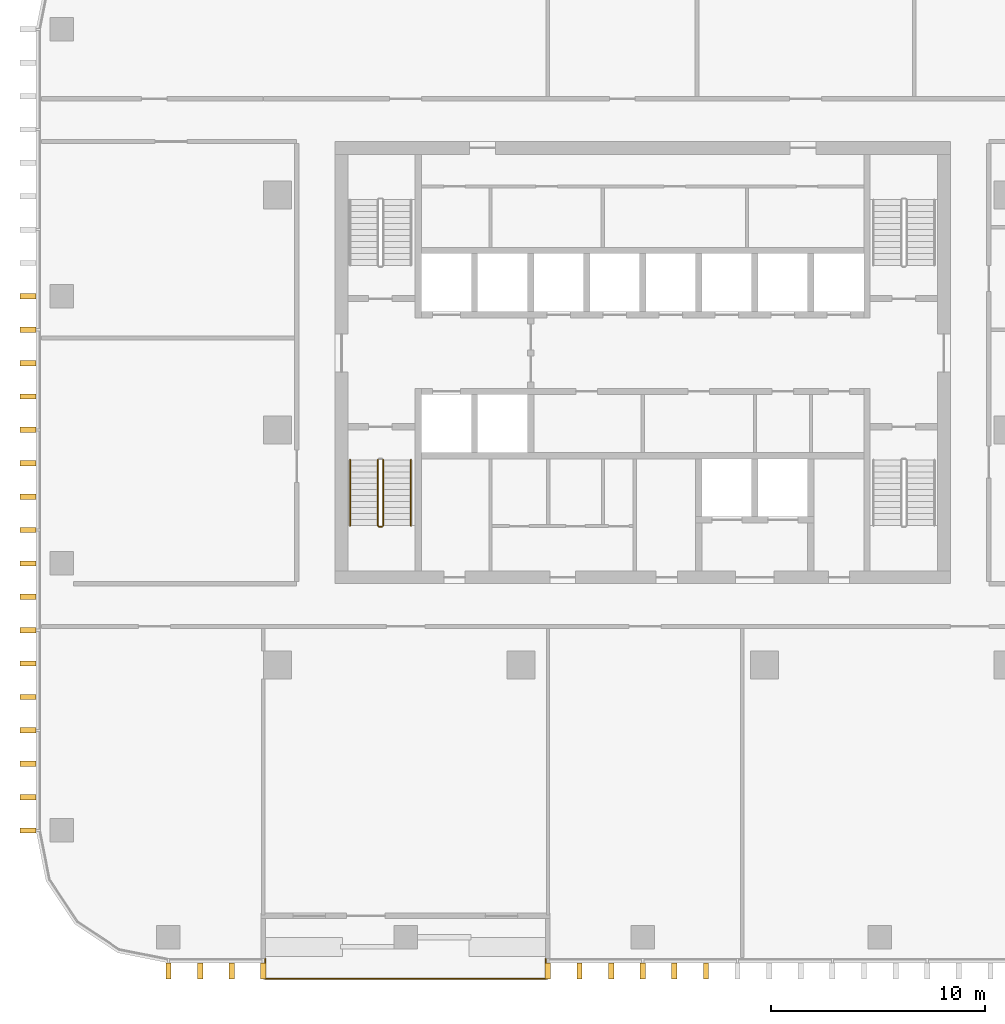
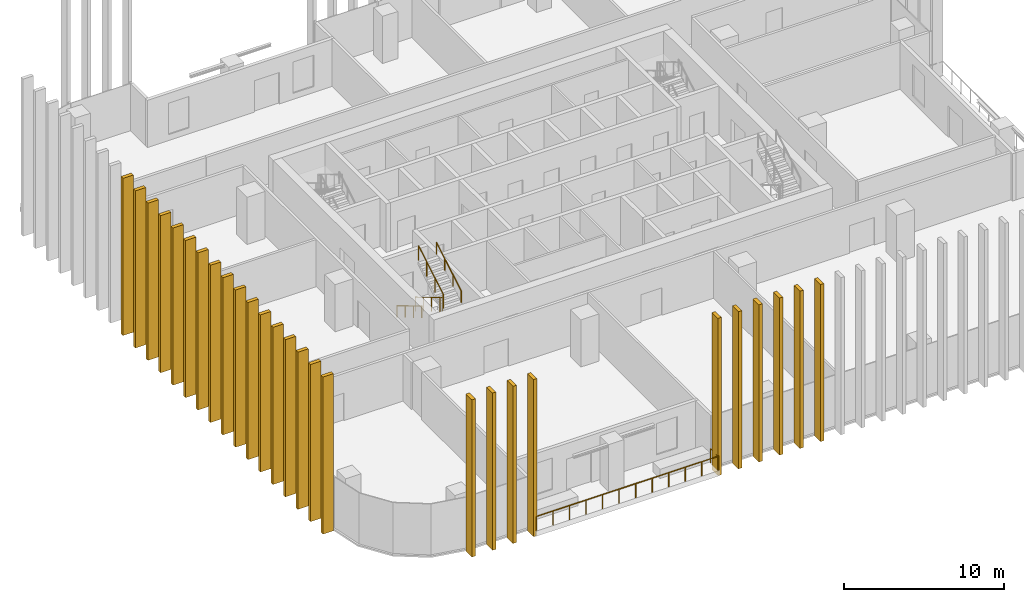
# One storey, part 11 of 15: 27 shading devices, 5 railings.
"""IFC4 building model written with IfcOpenShell, lengths in metres."""

from ifc_helpers import new_model, si_unit, direction, frame, origin, origin_2d, place, context, subcontext, project, spatial, rectangle, circle, extrude, material, type_object, element, save


model = new_model("IFC4")

# Units and contexts
model_context = context("Model", 3, precision=1e-05, world=origin(), true_north=direction((0.0, 1.0)))
body_context = subcontext(model_context, "Body", "Model", "MODEL_VIEW")
ifc_project = project(units=[si_unit("LENGTHUNIT", "METRE"), si_unit("AREAUNIT", "SQUARE_METRE"), si_unit("VOLUMEUNIT", "CUBIC_METRE"), si_unit("PLANEANGLEUNIT", "RADIAN"), si_unit("MASSUNIT", "GRAM", prefix="KILO")], contexts=[model_context])

# Site, building, storey
site_placement = place(None, origin())
site = spatial("IfcSite", under=ifc_project, at=site_placement, CompositionType="ELEMENT")
building_placement = place(site_placement, origin())
building = spatial("IfcBuilding", under=site, at=building_placement, Name="Mopane Tessera Tower", CompositionType="ELEMENT")
storey_placement = place(building_placement, frame((0.0, 0.0, 211.0)))
storey = spatial("IfcBuildingStorey", under=building, at=storey_placement, Name="L44", CompositionType="ELEMENT", Elevation=211.0)

# Shading devices
ifc_material_1 = material(Name="Glazed ceramic tile")
shading_device_type = type_object("IfcShadingDeviceType", Name="Ceramic tile fin 750 x 250 mm", PredefinedType="USERDEFINED", material=ifc_material_1)
for number, where, z_axis, x_axis, name in (
    (1, (-22.199951171875, -25.324951171875, -0.39990234375), (0.0, 0.0, 1.0), (1.0, 0.0, 0.0), "e:fin:L44:S:0:0"),
    (2, (-20.719970703125, -25.324951171875, -0.39990234375), (0.0, 0.0, 1.0), (1.0, 0.0, 0.0), "e:fin:L44:S:0:1"),
    (3, (-19.239990234375, -25.324951171875, -0.39990234375), (0.0, 0.0, 1.0), (1.0, 0.0, 0.0), "e:fin:L44:S:0:2"),
    (4, (-17.760009765625, -25.324951171875, -0.39990234375), (0.0, 0.0, 1.0), (1.0, 0.0, 0.0), "e:fin:L44:S:0:3"),
    (5, (-4.43994140625, -25.324951171875, -0.39990234375), (0.0, 0.0, 1.0), (1.0, 0.0, 0.0), "e:fin:L44:S:4:0"),
    (6, (-2.9599609375, -25.324951171875, -0.39990234375), (0.0, 0.0, 1.0), (1.0, 0.0, 0.0), "e:fin:L44:S:4:1"),
    (7, (-1.47998046875, -25.324951171875, -0.39990234375), (0.0, 0.0, 1.0), (1.0, 0.0, 0.0), "e:fin:L44:S:4:2"),
    (8, (0.0, -25.324951171875, -0.39990234375), (0.0, 0.0, 1.0), (1.0, 0.0, 0.0), "e:fin:L44:S:5:0"),
    (9, (1.47998046875, -25.324951171875, -0.39990234375), (0.0, 0.0, 1.0), (1.0, 0.0, 0.0), "e:fin:L44:S:5:1"),
    (10, (2.9599609375, -25.324951171875, -0.39990234375), (0.0, 0.0, 1.0), (1.0, 0.0, 0.0), "e:fin:L44:S:5:2"),
    (11, (-28.77490234375, 6.25, -0.39990234375), (0.0, 0.0, 1.0), (0.0, -1.0, 0.0), "e:fin:L44:W:2:2"),
    (12, (-28.77490234375, 4.6875, -0.39990234375), (0.0, 0.0, 1.0), (0.0, -1.0, 0.0), "e:fin:L44:W:3:0"),
    (13, (-28.77490234375, 3.125, -0.39990234375), (0.0, 0.0, 1.0), (0.0, -1.0, 0.0), "e:fin:L44:W:3:1"),
    (14, (-28.77490234375, 1.5625, -0.39990234375), (0.0, 0.0, 1.0), (0.0, -1.0, 0.0), "e:fin:L44:W:3:2"),
    (15, (-28.77490234375, 0.0, -0.39990234375), (0.0, 0.0, 1.0), (0.0, -1.0, 0.0), "e:fin:L44:W:4:0"),
    (16, (-28.77490234375, -1.5625, -0.39990234375), (0.0, 0.0, 1.0), (0.0, -1.0, 0.0), "e:fin:L44:W:4:1"),
    (17, (-28.77490234375, -3.125, -0.39990234375), (0.0, 0.0, 1.0), (0.0, -1.0, 0.0), "e:fin:L44:W:4:2"),
    (18, (-28.77490234375, -4.6875, -0.39990234375), (0.0, 0.0, 1.0), (0.0, -1.0, 0.0), "e:fin:L44:W:5:0"),
    (19, (-28.77490234375, -6.25, -0.39990234375), (0.0, 0.0, 1.0), (0.0, -1.0, 0.0), "e:fin:L44:W:5:1"),
    (20, (-28.77490234375, -7.8125, -0.39990234375), (0.0, 0.0, 1.0), (0.0, -1.0, 0.0), "e:fin:L44:W:5:2"),
    (21, (-28.77490234375, -9.375, -0.39990234375), (0.0, 0.0, 1.0), (0.0, -1.0, 0.0), "e:fin:L44:W:6:0"),
    (22, (-28.77490234375, -10.9375, -0.39990234375), (0.0, 0.0, 1.0), (0.0, -1.0, 0.0), "e:fin:L44:W:6:1"),
    (23, (-28.77490234375, -12.5, -0.39990234375), (0.0, 0.0, 1.0), (0.0, -1.0, 0.0), "e:fin:L44:W:6:2"),
    (24, (-28.77490234375, -14.0625, -0.39990234375), (0.0, 0.0, 1.0), (0.0, -1.0, 0.0), "e:fin:L44:W:7:0"),
    (25, (-28.77490234375, -15.625, -0.39990234375), (0.0, 0.0, 1.0), (0.0, -1.0, 0.0), "e:fin:L44:W:7:1"),
    (26, (-28.77490234375, -17.1875, -0.39990234375), (0.0, 0.0, 1.0), (0.0, -1.0, 0.0), "e:fin:L44:W:7:2"),
    (27, (-28.77490234375, -18.75, -0.39990234375), (0.0, 0.0, 1.0), (0.0, -1.0, 0.0), "e:fin:L44:W:7:3"),
):
    element("IfcShadingDevice", number, at=place(storey_placement, frame(where, z_axis=z_axis, x_axis=x_axis)), inside=storey, type_object=shading_device_type, Name=name, ObjectType="FIN", PredefinedType="USERDEFINED", context=body_context, shape_type="SweptSolid", body=[
        extrude(rectangle(XDim=0.25, YDim=0.75, at=origin_2d()), origin(), (0.0, 0.0, 1.0), 12.0),
    ])

# Railings
ifc_material_2 = material(Name="Powder-coated steel balustrade", Category="steel")
railing_type_1 = type_object("IfcRailingType", Name="Escape stair guard 1100 mm", PredefinedType="GUARDRAIL", material=ifc_material_2)
railing_1_placement = place(storey_placement, frame((-12.39990234375, -1.39990234375, 0.166748046875)))
element("IfcRailing", 28, at=railing_1_placement, inside=storey, type_object=railing_type_1, Name="L44 ST1 stair guard 1", PredefinedType="GUARDRAIL", context=body_context, shape_type="SweptSolid", body=[
    extrude(circle(Radius=0.02392578125, at=origin_2d()), frame((0.0, 0.0, 1.076171875), z_axis=(0.0, -0.859308565015, 0.511457515432), x_axis=(1.0, 0.0, 0.0)), (0.0, 0.0, 1.0), 3.58447265625),
    extrude(circle(Radius=0.02392578125, at=origin_2d()), frame((0.0, -3.080078125, 2.9091796875), z_axis=(0.705375805398, -0.708833529934, 0.0), x_axis=(0.708833529934, 0.705375805398, 0.0)), (0.0, 0.0, 1.0), 0.070556640625),
    extrude(circle(Radius=0.02392578125, at=origin_2d()), frame((0.0498046875, -3.130126953125, 2.9091796875), z_axis=(1.0, 0.0, 0.0), x_axis=(0.0, 1.0, 0.0)), (0.0, 0.0, 1.0), 0.150146484375),
    extrude(circle(Radius=0.02099609375, at=origin_2d()), origin(), (0.0, 0.0, 1.0), 1.052001953125),
    extrude(circle(Radius=0.02099609375, at=origin_2d()), frame((0.0, -1.026611328125, 0.611083984375)), (0.0, 0.0, 1.0), 1.052001953125),
    extrude(circle(Radius=0.02099609375, at=origin_2d()), frame((0.0, -2.053466796875, 1.22216796875)), (0.0, 0.0, 1.0), 1.052001953125),
    extrude(circle(Radius=0.02099609375, at=origin_2d()), frame((0.0, -3.080078125, 1.833251953125)), (0.0, 0.0, 1.0), 1.052001953125),
    extrude(circle(Radius=0.02099609375, at=origin_2d()), frame((0.0498046875, -3.130126953125, 1.833251953125)), (0.0, 0.0, 1.0), 1.052001953125),
    extrude(circle(Radius=0.02099609375, at=origin_2d()), frame((0.199951171875, -3.130126953125, 1.833251953125)), (0.0, 0.0, 1.0), 1.052001953125),
])
railing_2_placement = place(storey_placement, frame((-12.14990234375, -4.47998046875, 2.166748046875)))
element("IfcRailing", 29, at=railing_2_placement, inside=storey, type_object=railing_type_1, Name="L44 ST1 stair guard 2", PredefinedType="GUARDRAIL", context=body_context, shape_type="SweptSolid", body=[
    extrude(circle(Radius=0.02392578125, at=origin_2d()), frame((0.0, 0.0, 1.076171875), z_axis=(0.0, 0.859308565015, 0.511457515432), x_axis=(-1.0, 0.0, 0.0)), (0.0, 0.0, 1.0), 3.58447265625),
    extrude(circle(Radius=0.02099609375, at=origin_2d()), origin(), (0.0, 0.0, 1.0), 1.052001953125),
    extrude(circle(Radius=0.02099609375, at=origin_2d()), frame((0.0, 1.026611328125, 0.611083984375)), (0.0, 0.0, 1.0), 1.052001953125),
    extrude(circle(Radius=0.02099609375, at=origin_2d()), frame((0.0, 2.053466796875, 1.22216796875)), (0.0, 0.0, 1.0), 1.052001953125),
    extrude(circle(Radius=0.02099609375, at=origin_2d()), frame((0.0, 3.080078125, 1.833251953125)), (0.0, 0.0, 1.0), 1.052001953125),
])
ifc_material_3 = material(Name="Powder-coated steel balustrade", Category="steel")
railing_type_2 = type_object("IfcRailingType", Name="Escape stair handrail 900 mm", PredefinedType="HANDRAIL", material=ifc_material_3)
railing_3_placement = place(storey_placement, frame((-13.699951171875, -1.39990234375, 0.166748046875)))
element("IfcRailing", 30, at=railing_3_placement, inside=storey, type_object=railing_type_2, Name="L44 ST1 stair handrail 1", PredefinedType="HANDRAIL", context=body_context, shape_type="SweptSolid", body=[
    extrude(circle(Radius=0.02392578125, at=origin_2d()), frame((0.0, 0.0, 0.8759765625), z_axis=(0.0, -0.859308565015, 0.511457515432), x_axis=(1.0, 0.0, 0.0)), (0.0, 0.0, 1.0), 3.58447265625),
    extrude(circle(Radius=0.02099609375, at=origin_2d()), origin(), (0.0, 0.0, 1.0), 0.851806640625),
    extrude(circle(Radius=0.02099609375, at=origin_2d()), frame((0.0, -1.026611328125, 0.611083984375)), (0.0, 0.0, 1.0), 0.851806640625),
    extrude(circle(Radius=0.02099609375, at=origin_2d()), frame((0.0, -2.053466796875, 1.22216796875)), (0.0, 0.0, 1.0), 0.851806640625),
    extrude(circle(Radius=0.02099609375, at=origin_2d()), frame((0.0, -3.080078125, 1.833251953125)), (0.0, 0.0, 1.0), 0.851806640625),
])
railing_4_placement = place(storey_placement, frame((-10.85009765625, -4.47998046875, 2.166748046875)))
element("IfcRailing", 31, at=railing_4_placement, inside=storey, type_object=railing_type_2, Name="L44 ST1 stair handrail 2", PredefinedType="HANDRAIL", context=body_context, shape_type="SweptSolid", body=[
    extrude(circle(Radius=0.02392578125, at=origin_2d()), frame((0.0, 0.0, 0.8759765625), z_axis=(0.0, 0.859308565015, 0.511457515432), x_axis=(-1.0, 0.0, 0.0)), (0.0, 0.0, 1.0), 3.58447265625),
    extrude(circle(Radius=0.02099609375, at=origin_2d()), origin(), (0.0, 0.0, 1.0), 0.851806640625),
    extrude(circle(Radius=0.02099609375, at=origin_2d()), frame((0.0, 1.026611328125, 0.611083984375)), (0.0, 0.0, 1.0), 0.851806640625),
    extrude(circle(Radius=0.02099609375, at=origin_2d()), frame((0.0, 2.053466796875, 1.22216796875)), (0.0, 0.0, 1.0), 0.851806640625),
    extrude(circle(Radius=0.02099609375, at=origin_2d()), frame((0.0, 3.080078125, 1.833251953125)), (0.0, 0.0, 1.0), 0.851806640625),
])
ifc_material_4 = material(Name="Stainless steel S316", Category="steel")
railing_type_3 = type_object("IfcRailingType", Name="Terrace guard 1100", PredefinedType="GUARDRAIL", material=ifc_material_4)
railing_5_placement = place(storey_placement, frame((-17.659912109375, -24.75, 0.0)))
element("IfcRailing", 32, at=railing_5_placement, inside=storey, type_object=railing_type_3, Name="e:nw:L44:N1:guard", PredefinedType="GUARDRAIL", context=body_context, shape_type="SweptSolid", body=[
    extrude(circle(Radius=0.02392578125, at=origin_2d()), frame((0.0, 0.0, 1.076171875), z_axis=(0.0, -1.0, 0.0), x_axis=(1.0, 0.0, 0.0)), (0.0, 0.0, 1.0), 0.949951171875),
    extrude(circle(Radius=0.02392578125, at=origin_2d()), frame((0.0, -0.949951171875, 1.076171875), z_axis=(1.0, 0.0, 0.0), x_axis=(0.0, 1.0, 0.0)), (0.0, 0.0, 1.0), 13.119873046875),
    extrude(circle(Radius=0.02392578125, at=origin_2d()), frame((13.119873046875, -0.949951171875, 1.076171875), z_axis=(0.0, 1.0, 0.0), x_axis=(-1.0, 0.0, 0.0)), (0.0, 0.0, 1.0), 0.949951171875),
    extrude(circle(Radius=0.02099609375, at=origin_2d()), origin(), (0.0, 0.0, 1.0), 1.052001953125),
    extrude(circle(Radius=0.02099609375, at=origin_2d()), frame((0.0, -0.949951171875, 0.0)), (0.0, 0.0, 1.0), 1.052001953125),
    extrude(circle(Radius=0.02099609375, at=origin_2d()), frame((1.192626953125, -0.949951171875, 0.0)), (0.0, 0.0, 1.0), 1.052001953125),
    extrude(circle(Radius=0.02099609375, at=origin_2d()), frame((2.385498046875, -0.949951171875, 0.0)), (0.0, 0.0, 1.0), 1.052001953125),
    extrude(circle(Radius=0.02099609375, at=origin_2d()), frame((3.578125, -0.949951171875, 0.0)), (0.0, 0.0, 1.0), 1.052001953125),
    extrude(circle(Radius=0.02099609375, at=origin_2d()), frame((4.770751953125, -0.949951171875, 0.0)), (0.0, 0.0, 1.0), 1.052001953125),
    extrude(circle(Radius=0.02099609375, at=origin_2d()), frame((5.963623046875, -0.949951171875, 0.0)), (0.0, 0.0, 1.0), 1.052001953125),
    extrude(circle(Radius=0.02099609375, at=origin_2d()), frame((7.15625, -0.949951171875, 0.0)), (0.0, 0.0, 1.0), 1.052001953125),
    extrude(circle(Radius=0.02099609375, at=origin_2d()), frame((8.34912109375, -0.949951171875, 0.0)), (0.0, 0.0, 1.0), 1.052001953125),
    extrude(circle(Radius=0.02099609375, at=origin_2d()), frame((9.541748046875, -0.949951171875, 0.0)), (0.0, 0.0, 1.0), 1.052001953125),
    extrude(circle(Radius=0.02099609375, at=origin_2d()), frame((10.734375, -0.949951171875, 0.0)), (0.0, 0.0, 1.0), 1.052001953125),
    extrude(circle(Radius=0.02099609375, at=origin_2d()), frame((11.92724609375, -0.949951171875, 0.0)), (0.0, 0.0, 1.0), 1.052001953125),
    extrude(circle(Radius=0.02099609375, at=origin_2d()), frame((13.119873046875, -0.949951171875, 0.0)), (0.0, 0.0, 1.0), 1.052001953125),
    extrude(circle(Radius=0.02099609375, at=origin_2d()), frame((13.119873046875, 0.0, 0.0)), (0.0, 0.0, 1.0), 1.052001953125),
])

save(model, "model.ifc")
